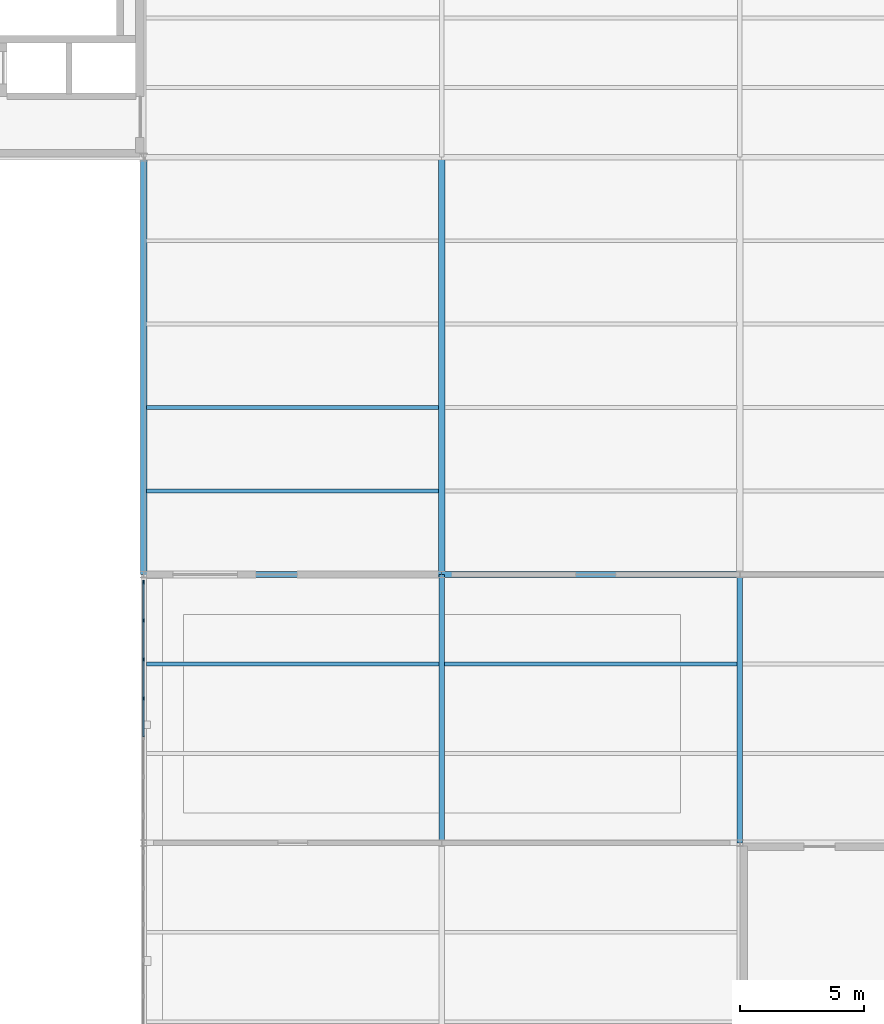
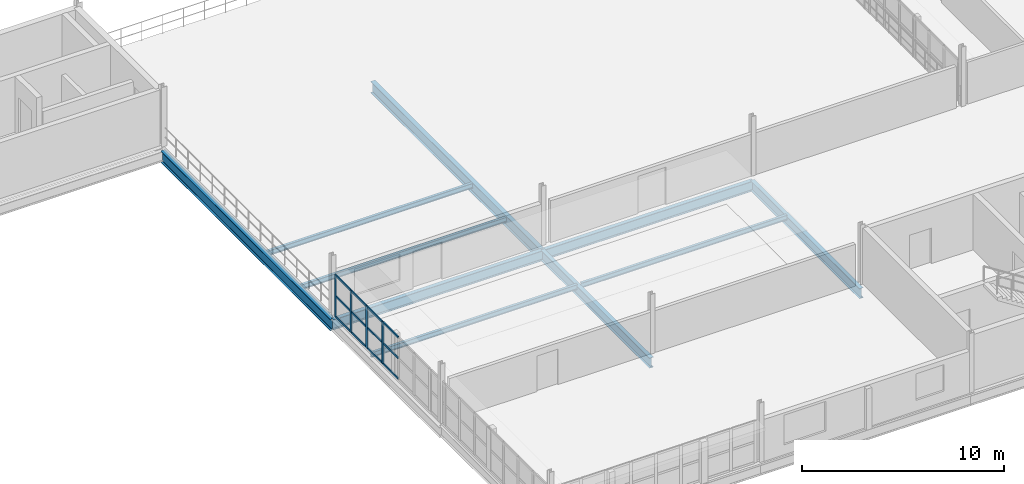
# One storey, part 35 of 74: 16 members, 10 beams, 1 element without a shape of its own.
"""IFC4 building model written with IfcOpenShell, lengths in metres."""

from ifc_helpers import new_model, si_unit, direction, frame, origin, origin_2d, place, context, subcontext, project, spatial, rectangle, i_section, extrude, material, layer, layer_set, material_profile, profile_set, type_object, element, aggregate, save


model = new_model("IFC4")

# Units and contexts
model_context = context("Model", 3, precision=1e-05, world=origin(), true_north=direction((0.0, 1.0)))
body_context = subcontext(model_context, "Body", "Model", "MODEL_VIEW")
ifc_project = project(units=[si_unit("LENGTHUNIT", "METRE"), si_unit("AREAUNIT", "SQUARE_METRE"), si_unit("VOLUMEUNIT", "CUBIC_METRE"), si_unit("PLANEANGLEUNIT", "RADIAN"), si_unit("MASSUNIT", "GRAM", prefix="KILO"), si_unit("THERMODYNAMICTEMPERATUREUNIT", "KELVIN"), si_unit("POWERUNIT", "WATT")], contexts=[model_context])

# Site, building, storey
site_placement = place(None, origin())
site = spatial("IfcSite", under=ifc_project, at=site_placement, CompositionType="ELEMENT")
building_placement = place(site_placement, origin())
building = spatial("IfcBuilding", under=site, at=building_placement, Name="Tembeka Court Mobility Hub", CompositionType="ELEMENT")
storey_placement = place(building_placement, frame((0.0, 0.0, 12.60009765625)))
storey = spatial("IfcBuildingStorey", under=building, at=storey_placement, Name="L03", CompositionType="ELEMENT", Elevation=12.60009765625)

# Beams
ifc_material_1 = material(Name="Steel S355", Category="steel")
ifc_material_profile_1 = material_profile(ifc_material_1, i_section(OverallWidth=0.25390625, OverallDepth=0.68408203125, WebThickness=0.012451171875, FlangeThickness=0.01904296875, FilletRadius=0.01513671875, at=origin_2d()), Name="UKB 686x254x140")
ifc_profile_set_1 = profile_set([ifc_material_profile_1], Name="Steel S355")
beam_type_1 = type_object("IfcBeamType", Name="BM-G01", PredefinedType="USERDEFINED", material=ifc_profile_set_1)
for number, where, z_axis, x_axis, name in (
    (1, (128.39990234375, 21.60009765625, -0.662109375), (0.0, 1.0, 0.0), (-1.0, 0.0, 0.0), "Beam G01 (BM-L03-Y1924)"),
    (2, (140.39990234375, 21.60009765625, -0.662109375), (0.0, 1.0, 0.0), (-1.0, 0.0, 0.0), "Beam G01 (BM-L03-Y1928)"),
):
    element("IfcBeam", number, at=place(storey_placement, frame(where, z_axis=z_axis, x_axis=x_axis)), inside=storey, type_object=beam_type_1, Name=name, ObjectType="GIRDER", PredefinedType="USERDEFINED", context=body_context, shape_type="SweptSolid", body=[
        extrude(i_section(OverallWidth=0.25390625, OverallDepth=0.68408203125, WebThickness=0.012451171875, FlangeThickness=0.01904296875, FilletRadius=0.01513671875, at=origin_2d()), origin(), (0.0, 0.0, 1.0), 16.7998046875),
    ])
ifc_material_profile_2 = material_profile(ifc_material_1, i_section(OverallWidth=0.22900390625, OverallDepth=0.612060546875, WebThickness=0.011962890625, FlangeThickness=0.01953125, FilletRadius=0.0126953125, at=origin_2d()), Name="UKB 610x229x125")
ifc_profile_set_2 = profile_set([ifc_material_profile_2], Name="Steel S355")
beam_type_2 = type_object("IfcBeamType", Name="BM-G02", PredefinedType="USERDEFINED", material=ifc_profile_set_2)
for number, where, z_axis, x_axis, name in (
    (3, (128.39990234375, 21.60009765625, -0.6259765625), (1.0, 0.0, 0.0), (0.0, 1.0, 0.0), "Beam G02 (BM-L03-X1714)"),
    (4, (140.39990234375, 21.60009765625, -0.6259765625), (1.0, 0.0, 0.0), (0.0, 1.0, 0.0), "Beam G02 (BM-L03-X1715)"),
):
    element("IfcBeam", number, at=place(storey_placement, frame(where, z_axis=z_axis, x_axis=x_axis)), inside=storey, type_object=beam_type_2, Name=name, ObjectType="GIRDER", PredefinedType="USERDEFINED", context=body_context, shape_type="SweptSolid", body=[
        extrude(i_section(OverallWidth=0.22900390625, OverallDepth=0.612060546875, WebThickness=0.011962890625, FlangeThickness=0.01953125, FilletRadius=0.0126953125, at=origin_2d()), origin(), (0.0, 0.0, 1.0), 12.0),
    ])
for number, where, z_axis, x_axis, name in (
    (5, (140.39990234375, 10.800048828125, -0.6259765625), (0.0, 1.0, 0.0), (-1.0, 0.0, 0.0), "Beam G02 (BM-L03-Y1927)"),
    (6, (152.39990234375, 10.800048828125, -0.6259765625), (0.0, 1.0, 0.0), (-1.0, 0.0, 0.0), "Beam G02 (BM-L03-Y1931)"),
):
    element("IfcBeam", number, at=place(storey_placement, frame(where, z_axis=z_axis, x_axis=x_axis)), inside=storey, type_object=beam_type_2, Name=name, ObjectType="GIRDER", PredefinedType="USERDEFINED", context=body_context, shape_type="SweptSolid", body=[
        extrude(i_section(OverallWidth=0.22900390625, OverallDepth=0.612060546875, WebThickness=0.011962890625, FlangeThickness=0.01953125, FilletRadius=0.0126953125, at=origin_2d()), origin(), (0.0, 0.0, 1.0), 10.800048828125),
    ])
ifc_material_profile_3 = material_profile(ifc_material_1, i_section(OverallWidth=0.14990234375, OverallDepth=0.300048828125, WebThickness=0.007080078125, FlangeThickness=0.0107421875, FilletRadius=0.014892578125, at=origin_2d()), Name="IPE 300")
ifc_profile_set_3 = profile_set([ifc_material_profile_3], Name="Steel S355")
beam_type_3 = type_object("IfcBeamType", Name="BM-J04", PredefinedType="JOIST", material=ifc_profile_set_3)
beam_1_placement = place(storey_placement, frame((128.509521484375, 18.0, -0.340087890625), z_axis=(1.0, 0.0, 0.0), x_axis=(0.0, 1.0, 0.0)))
element("IfcBeam", 7, at=beam_1_placement, inside=storey, type_object=beam_type_3, Name="Beam J04 (JST-L03-2145)", PredefinedType="JOIST", context=body_context, shape_type="SweptSolid", body=[
    extrude(i_section(OverallWidth=0.14990234375, OverallDepth=0.300048828125, WebThickness=0.007080078125, FlangeThickness=0.0107421875, FilletRadius=0.014892578125, at=origin_2d()), origin(), (0.0, 0.0, 1.0), 11.781005859375),
])
for number, where, z_axis, x_axis, name in (
    (8, (128.52197265625, 24.9599609375, -0.47021484375), (1.0, 0.0, 0.0), (0.0, 1.0, 0.0), "Beam J04 (JST-L03-2146)"),
    (9, (128.52197265625, 28.320068359375, -0.47021484375), (1.0, 0.0, 0.0), (0.0, 1.0, 0.0), "Beam J04 (JST-L03-2147)"),
):
    element("IfcBeam", number, at=place(storey_placement, frame(where, z_axis=z_axis, x_axis=x_axis)), inside=storey, type_object=beam_type_3, Name=name, PredefinedType="JOIST", context=body_context, shape_type="SweptSolid", body=[
        extrude(i_section(OverallWidth=0.14990234375, OverallDepth=0.300048828125, WebThickness=0.007080078125, FlangeThickness=0.0107421875, FilletRadius=0.014892578125, at=origin_2d()), origin(), (0.0, 0.0, 1.0), 11.756103515625),
    ])
beam_2_placement = place(storey_placement, frame((140.509521484375, 18.0, -0.340087890625), z_axis=(1.0, 0.0, 0.0), x_axis=(0.0, 1.0, 0.0)))
element("IfcBeam", 10, at=beam_2_placement, inside=storey, type_object=beam_type_3, Name="Beam J04 (JST-L03-2155)", PredefinedType="JOIST", context=body_context, shape_type="SweptSolid", body=[
    extrude(i_section(OverallWidth=0.14990234375, OverallDepth=0.300048828125, WebThickness=0.007080078125, FlangeThickness=0.0107421875, FilletRadius=0.014892578125, at=origin_2d()), origin(), (0.0, 0.0, 1.0), 11.781005859375),
])

# Curtain wall, members
ifc_material_2 = material(Name="Anodised aluminium 6063-T6", Category="aluminium")
ifc_layer = layer(ifc_material_2, 0.159912109375)
ifc_layer_set = layer_set([ifc_layer], Name="Anodised aluminium 6063-T6")
curtain_wall_type = type_object("IfcCurtainWallType", Name="CW-SYS56", PredefinedType="USERDEFINED", material=ifc_layer_set)
curtain_wall_placement = place(storey_placement, origin())
curtain_wall = element("IfcCurtainWall", 11, at=curtain_wall_placement, inside=storey, type_object=curtain_wall_type, Name="Unitised curtain wall CW56 (CW-L03-143)", ObjectType="UNITISED GLAZING", PredefinedType="USERDEFINED")
ifc_material_profile_4 = material_profile(ifc_material_2, rectangle(XDim=0.06494140625, YDim=0.159912109375, at=origin_2d()), Name="ALU-MUL 65x160")
ifc_profile_set_4 = profile_set([ifc_material_profile_4], Name="Anodised aluminium 6063-T6")
member_type_1 = type_object("IfcMemberType", Name="CW-MUL01", PredefinedType="MULLION", material=ifc_profile_set_4)
member_1_placement = place(storey_placement, frame((128.39990234375, 16.610107421875, 0.0), z_axis=(0.0, 0.0, 1.0), x_axis=(-1.0, 0.0, 0.0)))
member_1 = element("IfcMember", 12, at=member_1_placement, type_object=member_type_1, Name="CW56 mullion 4", PredefinedType="MULLION", context=body_context, shape_type="SweptSolid", body=[
    extrude(rectangle(XDim=0.06494140625, YDim=0.159912109375, at=origin_2d()), origin(), (0.0, 0.0, 1.0), 2.534912109375),
])
member_2_placement = place(storey_placement, frame((128.39990234375, 18.179931640625, 0.0), z_axis=(0.0, 0.0, 1.0), x_axis=(-1.0, 0.0, 0.0)))
member_2 = element("IfcMember", 13, at=member_2_placement, type_object=member_type_1, Name="CW56 mullion 5", PredefinedType="MULLION", context=body_context, shape_type="SweptSolid", body=[
    extrude(rectangle(XDim=0.06494140625, YDim=0.159912109375, at=origin_2d()), origin(), (0.0, 0.0, 1.0), 2.534912109375),
])
member_3_placement = place(storey_placement, frame((128.39990234375, 19.75, 0.0), z_axis=(0.0, 0.0, 1.0), x_axis=(-1.0, 0.0, 0.0)))
member_3 = element("IfcMember", 14, at=member_3_placement, type_object=member_type_1, Name="CW56 mullion 6", PredefinedType="MULLION", context=body_context, shape_type="SweptSolid", body=[
    extrude(rectangle(XDim=0.06494140625, YDim=0.159912109375, at=origin_2d()), origin(), (0.0, 0.0, 1.0), 2.534912109375),
])
member_4_placement = place(storey_placement, frame((128.39990234375, 21.28759765625, 0.0), z_axis=(0.0, 0.0, 1.0), x_axis=(-1.0, 0.0, 0.0)))
member_4 = element("IfcMember", 15, at=member_4_placement, type_object=member_type_1, Name="CW56 mullion 7", PredefinedType="MULLION", context=body_context, shape_type="SweptSolid", body=[
    extrude(rectangle(XDim=0.06494140625, YDim=0.159912109375, at=origin_2d()), origin(), (0.0, 0.0, 1.0), 2.534912109375),
])
ifc_material_profile_5 = material_profile(ifc_material_2, rectangle(XDim=0.06494140625, YDim=0.1201171875, at=origin_2d()), Name="ALU-TRN 65x120")
ifc_profile_set_5 = profile_set([ifc_material_profile_5], Name="Anodised aluminium 6063-T6")
member_type_2 = type_object("IfcMemberType", Name="CW-TRN01", PredefinedType="USERDEFINED", material=ifc_profile_set_5)
member_5_placement = place(storey_placement, frame((128.39990234375, 15.072509765625, 0.032470703125), z_axis=(0.0, 1.0, 0.0), x_axis=(-1.0, 0.0, 0.0)))
member_5 = element("IfcMember", 16, at=member_5_placement, type_object=member_type_2, Name="CW56 transom 3.1", ObjectType="TRANSOM", PredefinedType="USERDEFINED", context=body_context, shape_type="SweptSolid", body=[
    extrude(rectangle(XDim=0.06494140625, YDim=0.1201171875, at=origin_2d()), origin(), (0.0, 0.0, 1.0), 1.5048828125),
])
member_6_placement = place(storey_placement, frame((128.39990234375, 15.072509765625, 1.267333984375), z_axis=(0.0, 1.0, 0.0), x_axis=(-1.0, 0.0, 0.0)))
member_6 = element("IfcMember", 17, at=member_6_placement, type_object=member_type_2, Name="CW56 transom 3.2", ObjectType="TRANSOM", PredefinedType="USERDEFINED", context=body_context, shape_type="SweptSolid", body=[
    extrude(rectangle(XDim=0.06494140625, YDim=0.1201171875, at=origin_2d()), origin(), (0.0, 0.0, 1.0), 1.5048828125),
])
member_7_placement = place(storey_placement, frame((128.39990234375, 15.072509765625, 2.50244140625), z_axis=(0.0, 1.0, 0.0), x_axis=(-1.0, 0.0, 0.0)))
member_7 = element("IfcMember", 18, at=member_7_placement, type_object=member_type_2, Name="CW56 transom 3.3", ObjectType="TRANSOM", PredefinedType="USERDEFINED", context=body_context, shape_type="SweptSolid", body=[
    extrude(rectangle(XDim=0.06494140625, YDim=0.1201171875, at=origin_2d()), origin(), (0.0, 0.0, 1.0), 1.5048828125),
])
member_8_placement = place(storey_placement, frame((128.39990234375, 16.642578125, 0.032470703125), z_axis=(0.0, 1.0, 0.0), x_axis=(-1.0, 0.0, 0.0)))
member_8 = element("IfcMember", 19, at=member_8_placement, type_object=member_type_2, Name="CW56 transom 4.1", ObjectType="TRANSOM", PredefinedType="USERDEFINED", context=body_context, shape_type="SweptSolid", body=[
    extrude(rectangle(XDim=0.06494140625, YDim=0.1201171875, at=origin_2d()), origin(), (0.0, 0.0, 1.0), 1.5048828125),
])
member_9_placement = place(storey_placement, frame((128.39990234375, 16.642578125, 1.267333984375), z_axis=(0.0, 1.0, 0.0), x_axis=(-1.0, 0.0, 0.0)))
member_9 = element("IfcMember", 20, at=member_9_placement, type_object=member_type_2, Name="CW56 transom 4.2", ObjectType="TRANSOM", PredefinedType="USERDEFINED", context=body_context, shape_type="SweptSolid", body=[
    extrude(rectangle(XDim=0.06494140625, YDim=0.1201171875, at=origin_2d()), origin(), (0.0, 0.0, 1.0), 1.5048828125),
])
member_10_placement = place(storey_placement, frame((128.39990234375, 16.642578125, 2.50244140625), z_axis=(0.0, 1.0, 0.0), x_axis=(-1.0, 0.0, 0.0)))
member_10 = element("IfcMember", 21, at=member_10_placement, type_object=member_type_2, Name="CW56 transom 4.3", ObjectType="TRANSOM", PredefinedType="USERDEFINED", context=body_context, shape_type="SweptSolid", body=[
    extrude(rectangle(XDim=0.06494140625, YDim=0.1201171875, at=origin_2d()), origin(), (0.0, 0.0, 1.0), 1.5048828125),
])
member_11_placement = place(storey_placement, frame((128.39990234375, 18.21240234375, 0.032470703125), z_axis=(0.0, 1.0, 0.0), x_axis=(-1.0, 0.0, 0.0)))
member_11 = element("IfcMember", 22, at=member_11_placement, type_object=member_type_2, Name="CW56 transom 5.1", ObjectType="TRANSOM", PredefinedType="USERDEFINED", context=body_context, shape_type="SweptSolid", body=[
    extrude(rectangle(XDim=0.06494140625, YDim=0.1201171875, at=origin_2d()), origin(), (0.0, 0.0, 1.0), 1.505126953125),
])
member_12_placement = place(storey_placement, frame((128.39990234375, 18.21240234375, 1.267333984375), z_axis=(0.0, 1.0, 0.0), x_axis=(-1.0, 0.0, 0.0)))
member_12 = element("IfcMember", 23, at=member_12_placement, type_object=member_type_2, Name="CW56 transom 5.2", ObjectType="TRANSOM", PredefinedType="USERDEFINED", context=body_context, shape_type="SweptSolid", body=[
    extrude(rectangle(XDim=0.06494140625, YDim=0.1201171875, at=origin_2d()), origin(), (0.0, 0.0, 1.0), 1.505126953125),
])
member_13_placement = place(storey_placement, frame((128.39990234375, 18.21240234375, 2.50244140625), z_axis=(0.0, 1.0, 0.0), x_axis=(-1.0, 0.0, 0.0)))
member_13 = element("IfcMember", 24, at=member_13_placement, type_object=member_type_2, Name="CW56 transom 5.3", ObjectType="TRANSOM", PredefinedType="USERDEFINED", context=body_context, shape_type="SweptSolid", body=[
    extrude(rectangle(XDim=0.06494140625, YDim=0.1201171875, at=origin_2d()), origin(), (0.0, 0.0, 1.0), 1.505126953125),
])
member_14_placement = place(storey_placement, frame((128.39990234375, 19.782470703125, 0.032470703125), z_axis=(0.0, 1.0, 0.0), x_axis=(-1.0, 0.0, 0.0)))
member_14 = element("IfcMember", 25, at=member_14_placement, type_object=member_type_2, Name="CW56 transom 6.1", ObjectType="TRANSOM", PredefinedType="USERDEFINED", context=body_context, shape_type="SweptSolid", body=[
    extrude(rectangle(XDim=0.06494140625, YDim=0.1201171875, at=origin_2d()), origin(), (0.0, 0.0, 1.0), 1.472412109375),
])
member_15_placement = place(storey_placement, frame((128.39990234375, 19.782470703125, 1.267333984375), z_axis=(0.0, 1.0, 0.0), x_axis=(-1.0, 0.0, 0.0)))
member_15 = element("IfcMember", 26, at=member_15_placement, type_object=member_type_2, Name="CW56 transom 6.2", ObjectType="TRANSOM", PredefinedType="USERDEFINED", context=body_context, shape_type="SweptSolid", body=[
    extrude(rectangle(XDim=0.06494140625, YDim=0.1201171875, at=origin_2d()), origin(), (0.0, 0.0, 1.0), 1.472412109375),
])
member_16_placement = place(storey_placement, frame((128.39990234375, 19.782470703125, 2.50244140625), z_axis=(0.0, 1.0, 0.0), x_axis=(-1.0, 0.0, 0.0)))
member_16 = element("IfcMember", 27, at=member_16_placement, type_object=member_type_2, Name="CW56 transom 6.3", ObjectType="TRANSOM", PredefinedType="USERDEFINED", context=body_context, shape_type="SweptSolid", body=[
    extrude(rectangle(XDim=0.06494140625, YDim=0.1201171875, at=origin_2d()), origin(), (0.0, 0.0, 1.0), 1.472412109375),
])
aggregate(curtain_wall, [member_1, member_2, member_3, member_4, member_5, member_6, member_7, member_8, member_9, member_10, member_11, member_12, member_13, member_14, member_15, member_16])

save(model, "model.ifc")
